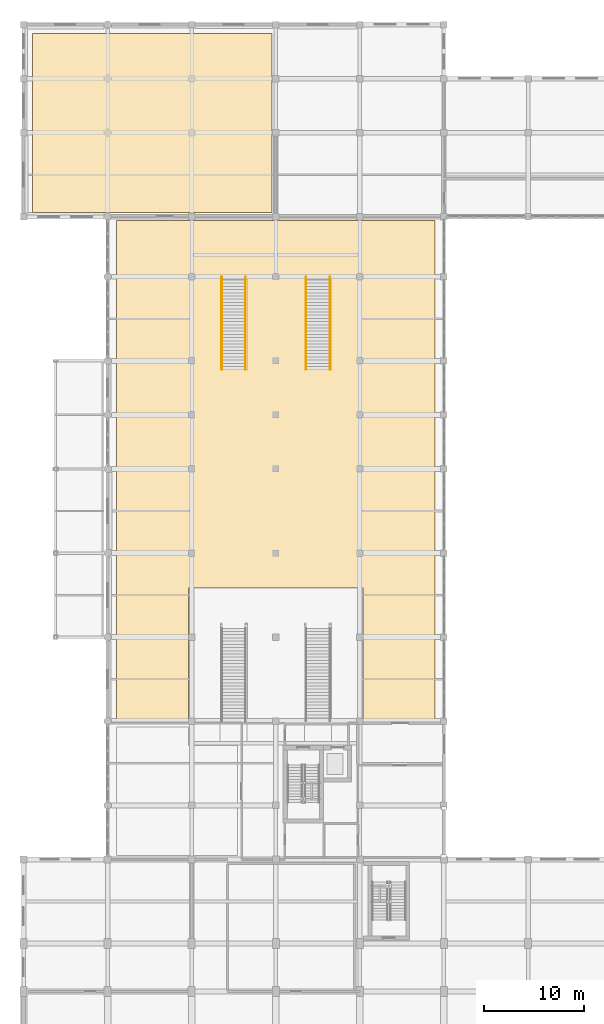
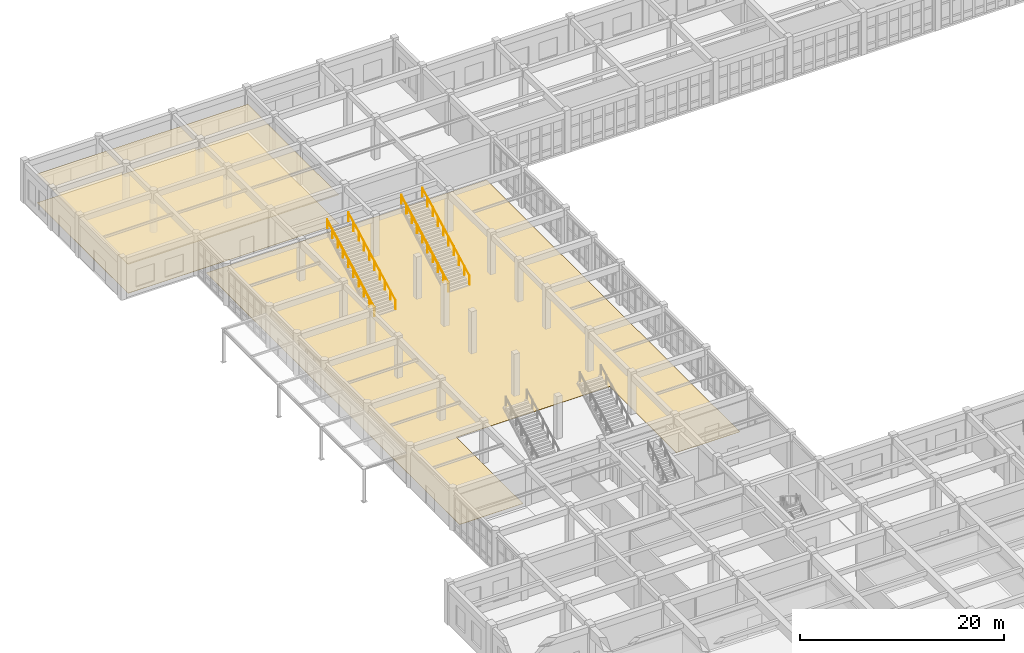
# One storey, part 78 of 80: 6 railings, 3 coverings.
"""IFC4 building model written with IfcOpenShell, lengths in metres."""

from ifc_helpers import new_model, si_unit, direction, frame, origin, origin_2d, place, context, subcontext, project, spatial, polyline, circle, outline, extrude, material, layer, layer_set, type_object, element, save


model = new_model("IFC4")

# Units and contexts
model_context = context("Model", 3, precision=1e-05, world=origin(), true_north=direction((0.0, 1.0)))
body_context = subcontext(model_context, "Body", "Model", "MODEL_VIEW")
ifc_project = project(units=[si_unit("LENGTHUNIT", "METRE"), si_unit("AREAUNIT", "SQUARE_METRE"), si_unit("VOLUMEUNIT", "CUBIC_METRE"), si_unit("PLANEANGLEUNIT", "RADIAN"), si_unit("MASSUNIT", "GRAM", prefix="KILO")], contexts=[model_context])

# Site, building, storey
site_placement = place(None, origin())
site = spatial("IfcSite", under=ifc_project, at=site_placement, CompositionType="ELEMENT")
building_placement = place(site_placement, origin())
building = spatial("IfcBuilding", under=site, at=building_placement, Name="Krzemoval Escarpment Law Courts", CompositionType="ELEMENT")
storey_placement = place(building_placement, origin())
storey = spatial("IfcBuildingStorey", under=building, at=storey_placement, Name="L00", CompositionType="ELEMENT", Elevation=0.0)

# Coverings
ifc_material_1 = material(Name="Micro-Perforated Acoustic Timber and Mineral Fibre Ceiling", Category="wood")
ifc_layer_1 = layer(ifc_material_1, 0.044921875)
ifc_layer_set_1 = layer_set([ifc_layer_1], Name="Micro-Perforated Acoustic Timber and Mineral Fibre Ceiling")
covering_type_1 = type_object("IfcCoveringType", Name="COV-CLG-AC60", PredefinedType="CEILING", material=ifc_layer_set_1)
covering_1_placement = place(storey_placement, frame((0.0, 0.0, 3.449951171875)))
element("IfcCovering", 1, at=covering_1_placement, inside=storey, type_object=covering_type_1, Name="Acoustic Courtroom Ceiling CLG-L00-08", PredefinedType="CEILING", context=body_context, shape_type="SweptSolid", body=[
    extrude(outline(polyline([(0.89990234375, 100.0), (0.89990234375, 117.89990234375), (24.800048828125, 117.89990234375), (24.800048828125, 100.0), (0.89990234375, 100.0)])), origin(), (0.0, 0.0, 1.0), 0.045166015625),
])
ifc_material_2 = material(Name="Honed Silesian Granite Stone Flooring", Category="masonry")
ifc_layer_2 = layer(ifc_material_2, 0.030029296875)
ifc_layer_set_2 = layer_set([ifc_layer_2], Name="Honed Silesian Granite Stone Flooring")
covering_type_2 = type_object("IfcCoveringType", Name="COV-FLR-STN30", PredefinedType="FLOORING", material=ifc_layer_set_2)
covering_2_placement = place(storey_placement, origin())
element("IfcCovering", 2, at=covering_2_placement, inside=storey, type_object=covering_type_2, Name="Stone Floor Finish FLR-L00-07", PredefinedType="FLOORING", context=body_context, shape_type="SweptSolid", body=[
    extrude(outline(polyline([(9.300048828125, 49.39990234375), (9.300048828125, 99.199951171875), (41.10009765625, 99.199951171875), (41.10009765625, 49.39990234375), (33.89990234375, 49.39990234375), (33.89990234375, 62.5), (16.5, 62.5), (16.5, 49.39990234375), (9.300048828125, 49.39990234375)])), origin(), (0.0, 0.0, 1.0), 0.030029296875),
])
covering_3_placement = place(storey_placement, origin())
element("IfcCovering", 3, at=covering_3_placement, inside=storey, type_object=covering_type_2, Name="Stone Floor Finish FLR-L00-08", PredefinedType="FLOORING", context=body_context, shape_type="SweptSolid", body=[
    extrude(outline(polyline([(0.89990234375, 100.0), (0.89990234375, 117.89990234375), (24.800048828125, 117.89990234375), (24.800048828125, 100.0), (0.89990234375, 100.0)])), origin(), (0.0, 0.0, 1.0), 0.030029296875),
])

# Railings
ifc_material_3 = material(Name="Stainless Steel Grade 316L and Laminated Safety Glass Guard", Category="steel")
railing_type_1 = type_object("IfcRailingType", Name="RL-BAL-1100", PredefinedType="BALUSTRADE", material=ifc_material_3)
for number, where, name in (
    (4, (19.800048828125, 84.320068359375, 0.169921875), "Feature Stair Guard ST10-L00 L"),
    (5, (22.199951171875, 84.320068359375, 0.169921875), "Feature Stair Guard ST10-L00 R"),
    (6, (28.199951171875, 84.320068359375, 0.169921875), "Feature Stair Guard ST11-L00 L"),
    (7, (30.60009765625, 84.320068359375, 0.169921875), "Feature Stair Guard ST11-L00 R"),
):
    element("IfcRailing", number, at=place(storey_placement, frame(where)), inside=storey, type_object=railing_type_1, Name=name, PredefinedType="BALUSTRADE", context=body_context, shape_type="SweptSolid", body=[
        extrude(circle(Radius=0.02392578125, at=origin_2d()), frame((0.0, 0.0, 1.076171875), z_axis=(0.0, 0.883109402409, 0.469167116683), x_axis=(-1.0, 0.0, 0.0)), (0.0, 0.0, 1.0), 10.50830078125),
        extrude(circle(Radius=0.02099609375, at=origin_2d()), origin(), (0.0, 0.0, 1.0), 1.052001953125),
        extrude(circle(Radius=0.02099609375, at=origin_2d()), frame((0.0, 1.031005859375, 0.5478515625)), (0.0, 0.0, 1.0), 1.052001953125),
        extrude(circle(Radius=0.02099609375, at=origin_2d()), frame((0.0, 2.062255859375, 1.095703125)), (0.0, 0.0, 1.0), 1.052001953125),
        extrude(circle(Radius=0.02099609375, at=origin_2d()), frame((0.0, 3.09326171875, 1.643310546875)), (0.0, 0.0, 1.0), 1.052001953125),
        extrude(circle(Radius=0.02099609375, at=origin_2d()), frame((0.0, 4.12451171875, 2.191162109375)), (0.0, 0.0, 1.0), 1.052001953125),
        extrude(circle(Radius=0.02099609375, at=origin_2d()), frame((0.0, 5.155517578125, 2.739013671875)), (0.0, 0.0, 1.0), 1.052001953125),
        extrude(circle(Radius=0.02099609375, at=origin_2d()), frame((0.0, 6.186767578125, 3.286865234375)), (0.0, 0.0, 1.0), 1.052001953125),
        extrude(circle(Radius=0.02099609375, at=origin_2d()), frame((0.0, 7.2177734375, 3.83447265625)), (0.0, 0.0, 1.0), 1.052001953125),
        extrude(circle(Radius=0.02099609375, at=origin_2d()), frame((0.0, 8.2490234375, 4.38232421875)), (0.0, 0.0, 1.0), 1.052001953125),
        extrude(circle(Radius=0.02099609375, at=origin_2d()), frame((0.0, 9.280029296875, 4.93017578125)), (0.0, 0.0, 1.0), 1.052001953125),
    ])
ifc_material_4 = material(Name="Brushed Stainless Steel Grade 304 Handrail", Category="steel")
railing_type_2 = type_object("IfcRailingType", Name="RL-HND-900", PredefinedType="HANDRAIL", material=ifc_material_4)
for number, where, name in (
    (8, (19.830078125, 84.320068359375, 0.169921875), "Feature Stair Handrail ST10-L00"),
    (9, (28.22998046875, 84.320068359375, 0.169921875), "Feature Stair Handrail ST11-L00"),
):
    element("IfcRailing", number, at=place(storey_placement, frame(where)), inside=storey, type_object=railing_type_2, Name=name, PredefinedType="HANDRAIL", context=body_context, shape_type="SweptSolid", body=[
        extrude(circle(Radius=0.02392578125, at=origin_2d()), frame((0.0, 0.0, 0.8759765625), z_axis=(0.0, 0.883109402409, 0.469167116683), x_axis=(-1.0, 0.0, 0.0)), (0.0, 0.0, 1.0), 10.50830078125),
        extrude(circle(Radius=0.02099609375, at=origin_2d()), origin(), (0.0, 0.0, 1.0), 0.851806640625),
        extrude(circle(Radius=0.02099609375, at=origin_2d()), frame((0.0, 1.031005859375, 0.5478515625)), (0.0, 0.0, 1.0), 0.851806640625),
        extrude(circle(Radius=0.02099609375, at=origin_2d()), frame((0.0, 2.062255859375, 1.095703125)), (0.0, 0.0, 1.0), 0.851806640625),
        extrude(circle(Radius=0.02099609375, at=origin_2d()), frame((0.0, 3.09326171875, 1.643310546875)), (0.0, 0.0, 1.0), 0.851806640625),
        extrude(circle(Radius=0.02099609375, at=origin_2d()), frame((0.0, 4.12451171875, 2.191162109375)), (0.0, 0.0, 1.0), 0.851806640625),
        extrude(circle(Radius=0.02099609375, at=origin_2d()), frame((0.0, 5.155517578125, 2.739013671875)), (0.0, 0.0, 1.0), 0.851806640625),
        extrude(circle(Radius=0.02099609375, at=origin_2d()), frame((0.0, 6.186767578125, 3.286865234375)), (0.0, 0.0, 1.0), 0.851806640625),
        extrude(circle(Radius=0.02099609375, at=origin_2d()), frame((0.0, 7.2177734375, 3.83447265625)), (0.0, 0.0, 1.0), 0.851806640625),
        extrude(circle(Radius=0.02099609375, at=origin_2d()), frame((0.0, 8.2490234375, 4.38232421875)), (0.0, 0.0, 1.0), 0.851806640625),
        extrude(circle(Radius=0.02099609375, at=origin_2d()), frame((0.0, 9.280029296875, 4.93017578125)), (0.0, 0.0, 1.0), 0.851806640625),
    ])

save(model, "model.ifc")
